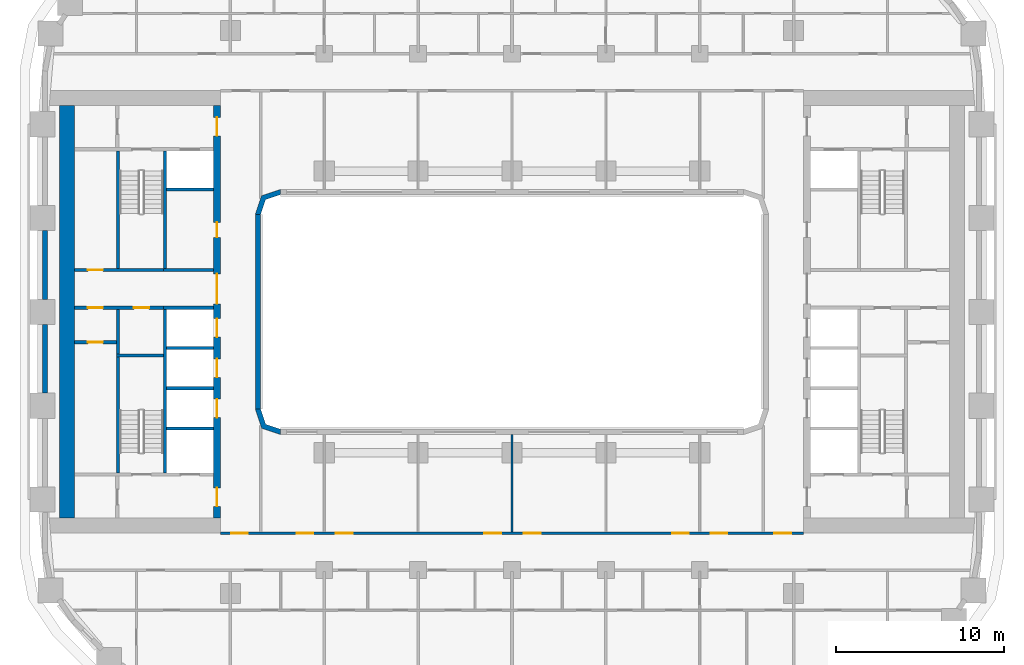
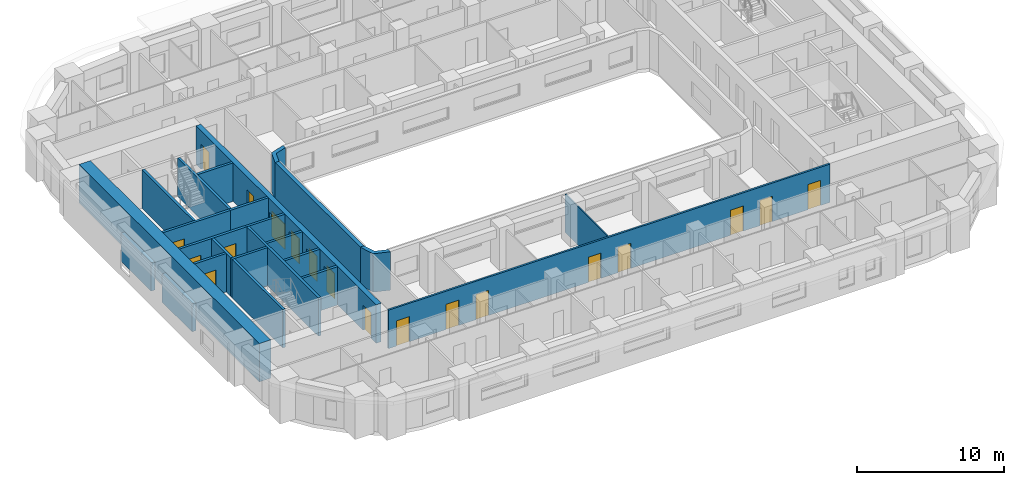
# One storey, part 4 of 20: 24 walls, 19 doors, 19 openings.
"""IFC4 building model written with IfcOpenShell, lengths in metres."""

from ifc_helpers import new_model, si_unit, direction, frame, frame_2d, origin, place, context, subcontext, project, spatial, polyline, rectangle, outline, extrude, material, layer, layer_set, type_object, element, fill, save


model = new_model("IFC4")

# Units and contexts
model_context = context("Model", 3, precision=1e-05, world=origin(), true_north=direction((0.0, 1.0)))
body_context = subcontext(model_context, "Body", "Model", "MODEL_VIEW")
ifc_project = project(units=[si_unit("LENGTHUNIT", "METRE"), si_unit("AREAUNIT", "SQUARE_METRE"), si_unit("VOLUMEUNIT", "CUBIC_METRE"), si_unit("PLANEANGLEUNIT", "RADIAN"), si_unit("MASSUNIT", "GRAM", prefix="KILO")], contexts=[model_context])

# Site, building, storey
site_placement = place(None, origin())
site = spatial("IfcSite", under=ifc_project, at=site_placement, CompositionType="ELEMENT")
building_placement = place(site_placement, origin())
building = spatial("IfcBuilding", under=site, at=building_placement, Name="Kiln Ring Residences", CompositionType="ELEMENT")
storey_placement = place(building_placement, frame((0.0, 0.0, 37.5)))
storey = spatial("IfcBuildingStorey", under=building, at=storey_placement, Name="L08", CompositionType="ELEMENT", Elevation=37.5)

# Wall
ifc_material_1 = material(Name="Gypsum board on steel studs", Category="steel")
ifc_layer_1 = layer(ifc_material_1, 0.199951171875)
ifc_layer_set_1 = layer_set([ifc_layer_1], Name="CORE-PARTITION-200")
wall_type_1 = type_object("IfcWallType", Name="CORE-PARTITION-200", PredefinedType="PARTITIONING", material=ifc_layer_set_1)
wall_1_placement = place(storey_placement, frame((-23.5, -2.5, 0.0), z_axis=(0.0, 0.0, 1.0), x_axis=(0.0, 1.0, 0.0)))
element("IfcWall", 1, at=wall_1_placement, inside=storey, type_object=wall_type_1, Name="Core partition west L08 1", PredefinedType="PARTITIONING", context=body_context, shape_type="SweptSolid", body=[
    extrude(rectangle(XDim=2.64990234375, YDim=0.199951171875, at=frame_2d((1.324951171875, 0.0))), origin(), (0.0, 0.0, 1.0), 3.199951171875),
])

# Wall, openings, doors
wall_2_placement = place(storey_placement, frame((-20.800048828125, 0.25, 0.0), z_axis=(0.0, 0.0, 1.0), x_axis=(-1.0, 0.0, 0.0)))
wall_2 = element("IfcWall", 2, at=wall_2_placement, inside=storey, type_object=wall_type_1, Name="Core partition west L08 2", PredefinedType="PARTITIONING", context=body_context, shape_type="SweptSolid", body=[
    extrude(rectangle(XDim=5.300048828125, YDim=0.199951171875, at=frame_2d((2.64990234375, 0.0))), origin(), (0.0, 0.0, 1.0), 3.199951171875),
])
opening_1_placement = place(wall_2_placement, frame((0.85009765625, 0.0, 0.0)))
opening_1 = element("IfcOpeningElement", 3, at=opening_1_placement, cuts=wall_2, Name="Opening L08-CW14", PredefinedType="OPENING", context=body_context, shape_type="SweptSolid", body=[
    extrude(rectangle(XDim=0.89990234375, YDim=2.10009765625, at=frame_2d((0.449951171875, 1.050048828125))), frame((0.0, 0.10986328125, 0.0), z_axis=(0.0, -1.0, 0.0), x_axis=(1.0, 0.0, 0.0)), (0.0, 0.0, 1.0), 0.219970703125),
])
opening_2_placement = place(wall_2_placement, frame((3.60009765625, 0.0, 0.0)))
opening_2 = element("IfcOpeningElement", 4, at=opening_2_placement, cuts=wall_2, Name="Opening L08-CW16", PredefinedType="OPENING", context=body_context, shape_type="SweptSolid", body=[
    extrude(rectangle(XDim=0.89990234375, YDim=2.10009765625, at=frame_2d((0.449951171875, 1.050048828125))), frame((0.0, 0.10986328125, 0.0), z_axis=(0.0, -1.0, 0.0), x_axis=(1.0, 0.0, 0.0)), (0.0, 0.0, 1.0), 0.219970703125),
])
ifc_material_2 = material(Name="Steel door leaf", Category="steel")
door_type_1 = type_object("IfcDoorType", Name="CORE-DOOR-ROOM", OperationType="SINGLE_SWING_LEFT", PredefinedType="DOOR", material=ifc_material_2)
door_1_placement = place(opening_1_placement, origin())
door_1 = element("IfcDoor", 5, at=door_1_placement, inside=storey, type_object=door_type_1, Name="Linen store L08-CW14", OperationType="SINGLE_SWING_RIGHT", OverallHeight=2.10009765625, OverallWidth=0.89990234375, PredefinedType="DOOR", context=body_context, shape_type="SweptSolid", body=[
    extrude(rectangle(XDim=0.89990234375, YDim=2.10009765625, at=frame_2d((0.449951171875, 1.050048828125))), frame((0.0, 0.02490234375, 0.0), z_axis=(0.0, -1.0, 0.0), x_axis=(1.0, 0.0, 0.0)), (0.0, 0.0, 1.0), 0.050048828125),
])
fill(opening_1, door_1)
door_2_placement = place(opening_2_placement, origin())
door_2 = element("IfcDoor", 6, at=door_2_placement, inside=storey, type_object=door_type_1, Name="Pump and valve room L08-CW16", OperationType="SINGLE_SWING_RIGHT", OverallHeight=2.10009765625, OverallWidth=0.89990234375, PredefinedType="DOOR", context=body_context, shape_type="SweptSolid", body=[
    extrude(rectangle(XDim=0.89990234375, YDim=2.10009765625, at=frame_2d((0.449951171875, 1.050048828125))), frame((0.0, 0.02490234375, 0.0), z_axis=(0.0, -1.0, 0.0), x_axis=(1.0, 0.0, 0.0)), (0.0, 0.0, 1.0), 0.050048828125),
])
fill(opening_2, door_2)

# Wall, opening, door
wall_3_placement = place(storey_placement, frame((-23.60009765625, -1.800048828125, 0.0), z_axis=(0.0, 0.0, 1.0), x_axis=(-1.0, 0.0, 0.0)))
wall_3 = element("IfcWall", 7, at=wall_3_placement, inside=storey, type_object=wall_type_1, Name="Core partition west L08 5", PredefinedType="PARTITIONING", context=body_context, shape_type="SweptSolid", body=[
    extrude(rectangle(XDim=2.5, YDim=0.199951171875, at=frame_2d((1.25, 0.0))), origin(), (0.0, 0.0, 1.0), 3.199951171875),
])
opening_3_placement = place(wall_3_placement, frame((0.800048828125, 0.0, 0.0)))
opening_3 = element("IfcOpeningElement", 8, at=opening_3_placement, cuts=wall_3, Name="Opening L08-CW15", PredefinedType="OPENING", context=body_context, shape_type="SweptSolid", body=[
    extrude(rectangle(XDim=0.89990234375, YDim=2.10009765625, at=frame_2d((0.449951171875, 1.050048828125))), frame((0.0, 0.10986328125, 0.0), z_axis=(0.0, -1.0, 0.0), x_axis=(1.0, 0.0, 0.0)), (0.0, 0.0, 1.0), 0.219970703125),
])
door_3_placement = place(opening_3_placement, origin())
door_3 = element("IfcDoor", 9, at=door_3_placement, inside=storey, type_object=door_type_1, Name="Pump and valve room L08-CW15", OperationType="SINGLE_SWING_RIGHT", OverallHeight=2.10009765625, OverallWidth=0.89990234375, PredefinedType="DOOR", context=body_context, shape_type="SweptSolid", body=[
    extrude(rectangle(XDim=0.89990234375, YDim=2.10009765625, at=frame_2d((0.449951171875, 1.050048828125))), frame((0.0, 0.02490234375, 0.0), z_axis=(0.0, -1.0, 0.0), x_axis=(1.0, 0.0, 0.0)), (0.0, 0.0, 1.0), 0.050048828125),
])
fill(opening_3, door_3)

# Walls
ifc_material_3 = material(Name="Gypsum shaft wall system")
ifc_layer_2 = layer(ifc_material_3, 0.199951171875)
ifc_layer_set_2 = layer_set([ifc_layer_2], Name="CORE-SHAFT-WALL-200")
wall_type_2 = type_object("IfcWallType", Name="CORE-SHAFT-WALL-200", PredefinedType="PARTITIONING", material=ifc_layer_set_2)
for number, where, z_axis, x_axis, name in (
    (10, (-17.800048828125, -6.949951171875, 0.0), (0.0, 0.0, 1.0), (-1.0, 0.0, 0.0), "Core partition west L08 6"),
    (11, (-17.800048828125, -4.550048828125, 0.0), (0.0, 0.0, 1.0), (-1.0, 0.0, 0.0), "Core partition west L08 7"),
    (12, (-17.800048828125, -2.14990234375, 0.0), (0.0, 0.0, 1.0), (-1.0, 0.0, 0.0), "Core partition west L08 8"),
):
    element("IfcWall", number, at=place(storey_placement, frame(where, z_axis=z_axis, x_axis=x_axis)), inside=storey, type_object=wall_type_2, Name=name, PredefinedType="PARTITIONING", context=body_context, shape_type="SweptSolid", body=[
        extrude(rectangle(XDim=2.800048828125, YDim=0.199951171875, at=frame_2d((1.39990234375, 0.0))), origin(), (0.0, 0.0, 1.0), 3.199951171875),
    ])
for number, where, z_axis, x_axis, name in (
    (13, (-17.800048828125, 0.25, 0.0), (0.0, 0.0, 1.0), (-1.0, 0.0, 0.0), "Core partition west L08 9"),
    (14, (-17.800048828125, 2.5, 0.0), (0.0, 0.0, 1.0), (-1.0, 0.0, 0.0), "Core partition west L08 10"),
):
    element("IfcWall", number, at=place(storey_placement, frame(where, z_axis=z_axis, x_axis=x_axis)), inside=storey, type_object=wall_type_2, Name=name, PredefinedType="PARTITIONING", context=body_context, shape_type="SweptSolid", body=[
        extrude(rectangle(XDim=3.0, YDim=0.199951171875, at=frame_2d((1.5, 0.0))), origin(), (0.0, 0.0, 1.0), 3.199951171875),
    ])
wall_4_placement = place(storey_placement, frame((-17.800048828125, 7.300048828125, 0.0), z_axis=(0.0, 0.0, 1.0), x_axis=(-1.0, 0.0, 0.0)))
element("IfcWall", 15, at=wall_4_placement, inside=storey, type_object=wall_type_2, Name="Core partition west L08 11", PredefinedType="PARTITIONING", context=body_context, shape_type="SweptSolid", body=[
    extrude(rectangle(XDim=2.800048828125, YDim=0.199951171875, at=frame_2d((1.39990234375, 0.0))), origin(), (0.0, 0.0, 1.0), 3.199951171875),
])
ifc_material_4 = material(Name="Concrete C40/50", Category="concrete")
ifc_layer_3 = layer(ifc_material_4, 0.199951171875)
ifc_layer_set_3 = layer_set([ifc_layer_3], Name="CORE-WALL-RC200")
wall_type_3 = type_object("IfcWallType", Name="CORE-WALL-RC200", PredefinedType="SHEAR", material=ifc_layer_set_3)
wall_5_placement = place(storey_placement, frame((-20.699951171875, 2.60009765625, 0.0), z_axis=(0.0, 0.0, 1.0), x_axis=(0.0, 1.0, 0.0)))
element("IfcWall", 16, at=wall_5_placement, inside=storey, type_object=wall_type_3, Name="Core wall west L08 1", PredefinedType="SHEAR", context=body_context, shape_type="SweptSolid", body=[
    extrude(rectangle(XDim=7.0, YDim=0.199951171875, at=frame_2d((3.5, 0.0))), origin(), (0.0, 0.0, 1.0), 3.199951171875),
])
wall_6_placement = place(storey_placement, frame((-20.699951171875, -9.60009765625, 0.0), z_axis=(0.0, 0.0, 1.0), x_axis=(0.0, 1.0, 0.0)))
element("IfcWall", 17, at=wall_6_placement, inside=storey, type_object=wall_type_3, Name="Core wall west L08 2", PredefinedType="SHEAR", context=body_context, shape_type="SweptSolid", body=[
    extrude(rectangle(XDim=9.75, YDim=0.199951171875, at=frame_2d((4.875, 0.0))), origin(), (0.0, 0.0, 1.0), 3.199951171875),
])

# Wall, opening, door
wall_7_placement = place(storey_placement, frame((-20.800048828125, 2.5, 0.0), z_axis=(0.0, 0.0, 1.0), x_axis=(-1.0, 0.0, 0.0)))
wall_7 = element("IfcWall", 18, at=wall_7_placement, inside=storey, type_object=wall_type_3, Name="Core wall west L08 3", PredefinedType="SHEAR", context=body_context, shape_type="SweptSolid", body=[
    extrude(rectangle(XDim=5.300048828125, YDim=0.199951171875, at=frame_2d((2.64990234375, 0.0))), origin(), (0.0, 0.0, 1.0), 3.199951171875),
])
opening_4_placement = place(wall_7_placement, frame((3.60009765625, 0.0, 0.0)))
opening_4 = element("IfcOpeningElement", 19, at=opening_4_placement, cuts=wall_7, Name="Opening L08-CW17", PredefinedType="OPENING", context=body_context, shape_type="SweptSolid", body=[
    extrude(rectangle(XDim=0.89990234375, YDim=2.10009765625, at=frame_2d((0.449951171875, 1.050048828125))), frame((0.0, 0.10986328125, 0.0), z_axis=(0.0, -1.0, 0.0), x_axis=(1.0, 0.0, 0.0)), (0.0, 0.0, 1.0), 0.219970703125),
])
door_4_placement = place(opening_4_placement, origin())
door_4 = element("IfcDoor", 20, at=door_4_placement, inside=storey, type_object=door_type_1, Name="Electrical plant room L08-CW17", OperationType="SINGLE_SWING_RIGHT", OverallHeight=2.10009765625, OverallWidth=0.89990234375, PredefinedType="DOOR", context=body_context, shape_type="SweptSolid", body=[
    extrude(rectangle(XDim=0.89990234375, YDim=2.10009765625, at=frame_2d((0.449951171875, 1.050048828125))), frame((0.0, 0.02490234375, 0.0), z_axis=(0.0, -1.0, 0.0), x_axis=(1.0, 0.0, 0.0)), (0.0, 0.0, 1.0), 0.050048828125),
])
fill(opening_4, door_4)

# Walls
wall_8_placement = place(storey_placement, frame((-23.5, 2.60009765625, 0.0), z_axis=(0.0, 0.0, 1.0), x_axis=(0.0, 1.0, 0.0)))
element("IfcWall", 21, at=wall_8_placement, inside=storey, type_object=wall_type_3, Name="Core wall west L08 10", PredefinedType="SHEAR", context=body_context, shape_type="SweptSolid", body=[
    extrude(rectangle(XDim=7.0, YDim=0.199951171875, at=frame_2d((3.5, 0.0))), origin(), (0.0, 0.0, 1.0), 3.199951171875),
])
wall_9_placement = place(storey_placement, frame((-23.5, -9.60009765625, 0.0), z_axis=(0.0, 0.0, 1.0), x_axis=(0.0, 1.0, 0.0)))
element("IfcWall", 22, at=wall_9_placement, inside=storey, type_object=wall_type_3, Name="Core wall west L08 11", PredefinedType="SHEAR", context=body_context, shape_type="SweptSolid", body=[
    extrude(rectangle(XDim=6.900146484375, YDim=0.199951171875, at=frame_2d((3.4501953125, 0.0))), origin(), (0.0, 0.0, 1.0), 3.199951171875),
])
wall_10_placement = place(storey_placement, frame((-20.800048828125, -2.60009765625, 0.0), z_axis=(0.0, 0.0, 1.0), x_axis=(-1.0, 0.0, 0.0)))
element("IfcWall", 23, at=wall_10_placement, inside=storey, type_object=wall_type_3, Name="Core wall west L08 12", PredefinedType="SHEAR", context=body_context, shape_type="SweptSolid", body=[
    extrude(rectangle(XDim=2.800048828125, YDim=0.199951171875, at=frame_2d((1.39990234375, 0.0))), origin(), (0.0, 0.0, 1.0), 3.199951171875),
])

# Wall, openings, doors
ifc_material_5 = material(Name="Concrete C60/75", Category="concrete")
ifc_layer_4 = layer(ifc_material_5, 0.39990234375)
ifc_layer_set_4 = layer_set([ifc_layer_4], Name="CORE-WALL-RC400")
wall_type_4 = type_object("IfcWallType", Name="CORE-WALL-RC400", PredefinedType="SHEAR", material=ifc_layer_set_4)
wall_11_placement = place(storey_placement, frame((-17.60009765625, -12.300048828125, 0.0), z_axis=(0.0, 0.0, 1.0), x_axis=(0.0, 1.0, 0.0)))
wall_11 = element("IfcWall", 24, at=wall_11_placement, inside=storey, type_object=wall_type_4, Name="Core wall west L08 6", PredefinedType="SHEAR", context=body_context, shape_type="SweptSolid", body=[
    extrude(rectangle(XDim=24.60009765625, YDim=0.39990234375, at=frame_2d((12.300048828125, 0.0))), origin(), (0.0, 0.0, 1.0), 3.199951171875),
])
opening_5_placement = place(wall_11_placement, frame((6.0, 0.0, 0.0)))
opening_5 = element("IfcOpeningElement", 25, at=opening_5_placement, cuts=wall_11, Name="Opening L08-CW02", PredefinedType="OPENING", context=body_context, shape_type="SweptSolid", body=[
    extrude(rectangle(XDim=1.10009765625, YDim=2.10009765625, at=frame_2d((0.550048828125, 1.050048828125))), frame((0.0, 0.2099609375, 0.0), z_axis=(0.0, -1.0, 0.0), x_axis=(1.0, 0.0, 0.0)), (0.0, 0.0, 1.0), 0.419921875),
])
opening_6_placement = place(wall_11_placement, frame((8.39990234375, 0.0, 0.0)))
opening_6 = element("IfcOpeningElement", 26, at=opening_6_placement, cuts=wall_11, Name="Opening L08-CW03", PredefinedType="OPENING", context=body_context, shape_type="SweptSolid", body=[
    extrude(rectangle(XDim=1.10009765625, YDim=2.10009765625, at=frame_2d((0.550048828125, 1.050048828125))), frame((0.0, 0.2099609375, 0.0), z_axis=(0.0, -1.0, 0.0), x_axis=(1.0, 0.0, 0.0)), (0.0, 0.0, 1.0), 0.419921875),
])
opening_7_placement = place(wall_11_placement, frame((10.800048828125, 0.0, 0.0)))
opening_7 = element("IfcOpeningElement", 27, at=opening_7_placement, cuts=wall_11, Name="Opening L08-CW04", PredefinedType="OPENING", context=body_context, shape_type="SweptSolid", body=[
    extrude(rectangle(XDim=1.10009765625, YDim=2.10009765625, at=frame_2d((0.550048828125, 1.050048828125))), frame((0.0, 0.2099609375, 0.0), z_axis=(0.0, -1.0, 0.0), x_axis=(1.0, 0.0, 0.0)), (0.0, 0.0, 1.0), 0.419921875),
])
opening_8_placement = place(wall_11_placement, frame((16.75, 0.0, 0.0)))
opening_8 = element("IfcOpeningElement", 28, at=opening_8_placement, cuts=wall_11, Name="Opening L08-CW05", PredefinedType="OPENING", context=body_context, shape_type="SweptSolid", body=[
    extrude(rectangle(XDim=0.89990234375, YDim=2.10009765625, at=frame_2d((0.449951171875, 1.050048828125))), frame((0.0, 0.2099609375, 0.0), z_axis=(0.0, -1.0, 0.0), x_axis=(1.0, 0.0, 0.0)), (0.0, 0.0, 1.0), 0.419921875),
])
opening_9_placement = place(wall_11_placement, frame((22.800048828125, 0.0, 0.0)))
opening_9 = element("IfcOpeningElement", 29, at=opening_9_placement, cuts=wall_11, Name="Opening L08-CW07", PredefinedType="OPENING", context=body_context, shape_type="SweptSolid", body=[
    extrude(rectangle(XDim=1.10009765625, YDim=2.10009765625, at=frame_2d((0.550048828125, 1.050048828125))), frame((0.0, 0.2099609375, 0.0), z_axis=(0.0, -1.0, 0.0), x_axis=(1.0, 0.0, 0.0)), (0.0, 0.0, 1.0), 0.419921875),
])
opening_10_placement = place(wall_11_placement, frame((0.699951171875, 0.0, 0.0)))
opening_10 = element("IfcOpeningElement", 30, at=opening_10_placement, cuts=wall_11, Name="Opening L08-CW08", PredefinedType="OPENING", context=body_context, shape_type="SweptSolid", body=[
    extrude(rectangle(XDim=1.10009765625, YDim=2.10009765625, at=frame_2d((0.550048828125, 1.050048828125))), frame((0.0, 0.2099609375, 0.0), z_axis=(0.0, -1.0, 0.0), x_axis=(1.0, 0.0, 0.0)), (0.0, 0.0, 1.0), 0.419921875),
])
opening_11_placement = place(wall_11_placement, frame((12.77490234375, 0.0, 0.0)))
opening_11 = element("IfcOpeningElement", 31, at=opening_11_placement, cuts=wall_11, Name="Opening L08-CW13", PredefinedType="OPENING", context=body_context, shape_type="SweptSolid", body=[
    extrude(rectangle(XDim=1.800048828125, YDim=2.10009765625, at=frame_2d((0.89990234375, 1.050048828125))), frame((0.0, 0.2099609375, 0.0), z_axis=(0.0, -1.0, 0.0), x_axis=(1.0, 0.0, 0.0)), (0.0, 0.0, 1.0), 0.419921875),
])
ifc_material_6 = material(Name="Steel door leaf", Category="steel")
door_type_2 = type_object("IfcDoorType", Name="CORE-DOOR-LD", OperationType="DOUBLE_DOOR_SLIDING", PredefinedType="DOOR", material=ifc_material_6)
door_5_placement = place(opening_5_placement, origin())
door_5 = element("IfcDoor", 32, at=door_5_placement, inside=storey, type_object=door_type_2, Name="LD W-L1 L08-CW02", OperationType="DOUBLE_DOOR_SLIDING", OverallHeight=2.10009765625, OverallWidth=1.10009765625, PredefinedType="DOOR", context=body_context, shape_type="SweptSolid", body=[
    extrude(rectangle(XDim=1.10009765625, YDim=2.10009765625, at=frame_2d((0.550048828125, 1.050048828125))), frame((0.0, 0.02490234375, 0.0), z_axis=(0.0, -1.0, 0.0), x_axis=(1.0, 0.0, 0.0)), (0.0, 0.0, 1.0), 0.050048828125),
])
fill(opening_5, door_5)
door_6_placement = place(opening_6_placement, origin())
door_6 = element("IfcDoor", 33, at=door_6_placement, inside=storey, type_object=door_type_2, Name="LD W-L2 L08-CW03", OperationType="DOUBLE_DOOR_SLIDING", OverallHeight=2.10009765625, OverallWidth=1.10009765625, PredefinedType="DOOR", context=body_context, shape_type="SweptSolid", body=[
    extrude(rectangle(XDim=1.10009765625, YDim=2.10009765625, at=frame_2d((0.550048828125, 1.050048828125))), frame((0.0, 0.02490234375, 0.0), z_axis=(0.0, -1.0, 0.0), x_axis=(1.0, 0.0, 0.0)), (0.0, 0.0, 1.0), 0.050048828125),
])
fill(opening_6, door_6)
door_7_placement = place(opening_7_placement, origin())
door_7 = element("IfcDoor", 34, at=door_7_placement, inside=storey, type_object=door_type_2, Name="LD W-L3 L08-CW04", OperationType="DOUBLE_DOOR_SLIDING", OverallHeight=2.10009765625, OverallWidth=1.10009765625, PredefinedType="DOOR", context=body_context, shape_type="SweptSolid", body=[
    extrude(rectangle(XDim=1.10009765625, YDim=2.10009765625, at=frame_2d((0.550048828125, 1.050048828125))), frame((0.0, 0.02490234375, 0.0), z_axis=(0.0, -1.0, 0.0), x_axis=(1.0, 0.0, 0.0)), (0.0, 0.0, 1.0), 0.050048828125),
])
fill(opening_7, door_7)
ifc_material_7 = material(Name="Steel door leaf", Category="steel")
door_type_3 = type_object("IfcDoorType", Name="CORE-DOOR-LOBBY", OperationType="SINGLE_SWING_LEFT", PredefinedType="DOOR", material=ifc_material_7)
door_8_placement = place(opening_9_placement, origin())
door_8 = element("IfcDoor", 35, at=door_8_placement, inside=storey, type_object=door_type_3, Name="FFL L08-CW07", OperationType="SINGLE_SWING_RIGHT", OverallHeight=2.10009765625, OverallWidth=1.10009765625, PredefinedType="DOOR", context=body_context, shape_type="SweptSolid", body=[
    extrude(rectangle(XDim=1.10009765625, YDim=2.10009765625, at=frame_2d((0.550048828125, 1.050048828125))), frame((0.0, 0.02490234375, 0.0), z_axis=(0.0, -1.0, 0.0), x_axis=(1.0, 0.0, 0.0)), (0.0, 0.0, 1.0), 0.050048828125),
])
fill(opening_9, door_8)
door_9_placement = place(opening_10_placement, origin())
door_9 = element("IfcDoor", 36, at=door_9_placement, inside=storey, type_object=door_type_3, Name="SVL L08-CW08", OperationType="SINGLE_SWING_LEFT", OverallHeight=2.10009765625, OverallWidth=1.10009765625, PredefinedType="DOOR", context=body_context, shape_type="SweptSolid", body=[
    extrude(rectangle(XDim=1.10009765625, YDim=2.10009765625, at=frame_2d((0.550048828125, 1.050048828125))), frame((0.0, 0.02490234375, 0.0), z_axis=(0.0, -1.0, 0.0), x_axis=(1.0, 0.0, 0.0)), (0.0, 0.0, 1.0), 0.050048828125),
])
fill(opening_10, door_9)
ifc_material_8 = material(Name="Steel door leaf", Category="steel")
door_type_4 = type_object("IfcDoorType", Name="CORE-DOOR-PASS", OperationType="DOUBLE_DOOR_SINGLE_SWING", PredefinedType="DOOR", material=ifc_material_8)
door_10_placement = place(opening_11_placement, origin())
door_10 = element("IfcDoor", 37, at=door_10_placement, inside=storey, type_object=door_type_4, Name="Core passage L08-CW13", OperationType="DOUBLE_DOOR_SINGLE_SWING", OverallHeight=2.10009765625, OverallWidth=1.800048828125, PredefinedType="DOOR", context=body_context, shape_type="SweptSolid", body=[
    extrude(rectangle(XDim=1.800048828125, YDim=2.10009765625, at=frame_2d((0.89990234375, 1.050048828125))), frame((0.0, 0.02490234375, 0.0), z_axis=(0.0, -1.0, 0.0), x_axis=(1.0, 0.0, 0.0)), (0.0, 0.0, 1.0), 0.050048828125),
])
fill(opening_11, door_10)
door_11_placement = place(opening_8_placement, origin())
door_11 = element("IfcDoor", 38, at=door_11_placement, inside=storey, type_object=door_type_1, Name="Goods store L08-CW05", OperationType="SINGLE_SWING_LEFT", OverallHeight=2.10009765625, OverallWidth=0.89990234375, PredefinedType="DOOR", context=body_context, shape_type="SweptSolid", body=[
    extrude(rectangle(XDim=0.89990234375, YDim=2.10009765625, at=frame_2d((0.449951171875, 1.050048828125))), frame((0.0, 0.02490234375, 0.0), z_axis=(0.0, -1.0, 0.0), x_axis=(1.0, 0.0, 0.0)), (0.0, 0.0, 1.0), 0.050048828125),
])
fill(opening_8, door_11)

# Walls
ifc_material_9 = material(Name="Concrete C60/75", Category="concrete")
ifc_layer_5 = layer(ifc_material_9, 0.89990234375)
ifc_layer_set_5 = layer_set([ifc_layer_5], Name="CORE-WALL-RC900")
wall_type_5 = type_object("IfcWallType", Name="CORE-WALL-RC900", PredefinedType="SHEAR", material=ifc_layer_set_5)
wall_12_placement = place(storey_placement, frame((-26.550048828125, -12.300048828125, 0.0), z_axis=(0.0, 0.0, 1.0), x_axis=(0.0, 1.0, 0.0)))
element("IfcWall", 39, at=wall_12_placement, inside=storey, type_object=wall_type_5, Name="Core wall west L08 7", PredefinedType="SHEAR", context=body_context, shape_type="SweptSolid", body=[
    extrude(rectangle(XDim=24.60009765625, YDim=0.89990234375, at=frame_2d((12.300048828125, 0.0))), origin(), (0.0, 0.0, 1.0), 3.199951171875),
])
ifc_material_10 = material(Name="Brick masonry, dark clay brick", Category="masonry")
ifc_layer_6 = layer(ifc_material_10, 0.300048828125)
ifc_layer_set_6 = layer_set([ifc_layer_6], Name="EW-300 BRICK WALL")
wall_type_6 = type_object("IfcWallType", Name="EW-300 BRICK WALL", PredefinedType="SOLIDWALL", material=ifc_layer_set_6)
for number, where, z_axis, x_axis, name in (
    (40, (-27.85009765625, 4.85009765625, 0.0), (0.0, 0.0, 1.0), (0.0, -1.0, 0.0), "Facade wall L08 43"),
    (41, (-27.85009765625, -0.75, 0.0), (0.0, 0.0, 1.0), (0.0, -1.0, 0.0), "Facade wall L08 44"),
):
    element("IfcWall", number, at=place(storey_placement, frame(where, z_axis=z_axis, x_axis=x_axis)), inside=storey, type_object=wall_type_6, Name=name, PredefinedType="SOLIDWALL", context=body_context, shape_type="SweptSolid", body=[
        extrude(rectangle(XDim=4.10009765625, YDim=0.300048828125, at=frame_2d((2.050048828125, 0.0))), origin(), (0.0, 0.0, 1.0), 2.35009765625),
    ])
wall_13_placement = place(storey_placement, frame((-15.14990234375, -5.800048828125, 0.0), z_axis=(0.0, 0.0, 1.0), x_axis=(0.0, 1.0, 0.0)))
element("IfcWall", 42, at=wall_13_placement, inside=storey, type_object=wall_type_6, Name="Facade wall L08 49", PredefinedType="SOLIDWALL", context=body_context, shape_type="SweptSolid", body=[
    extrude(rectangle(XDim=11.60009765625, YDim=0.300048828125, at=frame_2d((5.800048828125, 0.0))), origin(), (0.0, 0.0, 1.0), 3.199951171875),
])
placement = place(storey_placement, origin())
element("IfcWall", 43, at=placement, inside=storey, type_object=wall_type_6, Name="Corner wall L08 1", PredefinedType="SOLIDWALL", context=body_context, shape_type="SweptSolid", body=[
    extrude(outline(polyline([(-13.8486328125, 7.300048828125), (-14.937255859375, 6.937255859375), (-15.300048828125, 5.8486328125), (-15.300048828125, 5.800048828125), (-15.0, 5.800048828125), (-14.699951171875, 6.699951171875), (-13.800048828125, 7.0), (-13.800048828125, 7.300048828125), (-13.8486328125, 7.300048828125)])), origin(), (0.0, 0.0, 1.0), 3.199951171875),
])
element("IfcWall", 44, at=placement, inside=storey, type_object=wall_type_6, Name="Corner wall L08 4", PredefinedType="SOLIDWALL", context=body_context, shape_type="SweptSolid", body=[
    extrude(outline(polyline([(-14.937255859375, -6.937255859375), (-13.8486328125, -7.300048828125), (-13.800048828125, -7.300048828125), (-13.800048828125, -7.0), (-14.699951171875, -6.699951171875), (-15.0, -5.800048828125), (-15.300048828125, -5.800048828125), (-15.300048828125, -5.8486328125), (-14.937255859375, -6.937255859375)])), origin(), (0.0, 0.0, 1.0), 3.199951171875),
])
ifc_material_11 = material(Name="Gypsum board on steel studs", Category="steel")
ifc_layer_7 = layer(ifc_material_11, 0.10009765625)
ifc_layer_set_7 = layer_set([ifc_layer_7], Name="PARTITION-100")
wall_type_7 = type_object("IfcWallType", Name="PARTITION-100", PredefinedType="PARTITIONING", material=ifc_layer_set_7)
wall_16_placement = place(storey_placement, frame((0.0, -13.125, 0.0), z_axis=(0.0, 0.0, 1.0), x_axis=(0.0, 1.0, 0.0)))
element("IfcWall", 45, at=wall_16_placement, inside=storey, type_object=wall_type_7, Name="Partition 034", PredefinedType="PARTITIONING", context=body_context, shape_type="SweptSolid", body=[
    extrude(rectangle(XDim=5.804931640625, YDim=0.10009765625, at=frame_2d((2.90234375, 0.0))), origin(), (0.0, 0.0, 1.0), 3.199951171875),
])

# Wall, openings, doors
ifc_material_12 = material(Name="Brick masonry partition", Category="masonry")
ifc_layer_8 = layer(ifc_material_12, 0.14990234375)
ifc_layer_set_8 = layer_set([ifc_layer_8], Name="PARTITION-150-ei60")
wall_type_8 = type_object("IfcWallType", Name="PARTITION-150-ei60", PredefinedType="PARTITIONING", material=ifc_layer_set_8)
wall_17_placement = place(storey_placement, frame((-17.39990234375, -13.199951171875, 0.0), z_axis=(0.0, 0.0, 1.0), x_axis=(1.0, 0.0, 0.0)))
wall_17 = element("IfcWall", 46, at=wall_17_placement, inside=storey, type_object=wall_type_8, Name="Partition 002", PredefinedType="PARTITIONING", context=body_context, shape_type="SweptSolid", body=[
    extrude(rectangle(XDim=34.7998046875, YDim=0.14990234375, at=frame_2d((17.39990234375, 0.0))), origin(), (0.0, 0.0, 1.0), 3.199951171875),
])
opening_12_placement = place(wall_17_placement, frame((0.64990234375, 0.0, 0.0)))
opening_12 = element("IfcOpeningElement", 47, at=opening_12_placement, cuts=wall_17, Name="Opening L08-D003", PredefinedType="OPENING", context=body_context, shape_type="SweptSolid", body=[
    extrude(rectangle(XDim=1.0, YDim=2.10009765625, at=frame_2d((0.5, 1.050048828125))), frame((0.0, 0.0849609375, 0.0), z_axis=(0.0, -1.0, 0.0), x_axis=(1.0, 0.0, 0.0)), (0.0, 0.0, 1.0), 0.169921875),
])
opening_13_placement = place(wall_17_placement, frame((33.050048828125, 0.0, 0.0)))
opening_13 = element("IfcOpeningElement", 48, at=opening_13_placement, cuts=wall_17, Name="Opening L08-D004", PredefinedType="OPENING", context=body_context, shape_type="SweptSolid", body=[
    extrude(rectangle(XDim=1.0, YDim=2.10009765625, at=frame_2d((0.5, 1.050048828125))), frame((0.0, 0.0849609375, 0.0), z_axis=(0.0, -1.0, 0.0), x_axis=(1.0, 0.0, 0.0)), (0.0, 0.0, 1.0), 0.169921875),
])
opening_14_placement = place(wall_17_placement, frame((4.550048828125, 0.0, 0.0)))
opening_14 = element("IfcOpeningElement", 49, at=opening_14_placement, cuts=wall_17, Name="Opening L08-D037", PredefinedType="OPENING", context=body_context, shape_type="SweptSolid", body=[
    extrude(rectangle(XDim=1.0, YDim=2.10009765625, at=frame_2d((0.5, 1.050048828125))), frame((0.0, 0.0849609375, 0.0), z_axis=(0.0, -1.0, 0.0), x_axis=(1.0, 0.0, 0.0)), (0.0, 0.0, 1.0), 0.169921875),
])
opening_15_placement = place(wall_17_placement, frame((6.89990234375, 0.0, 0.0)))
opening_15 = element("IfcOpeningElement", 50, at=opening_15_placement, cuts=wall_17, Name="Opening L08-D038", PredefinedType="OPENING", context=body_context, shape_type="SweptSolid", body=[
    extrude(rectangle(XDim=1.0, YDim=2.10009765625, at=frame_2d((0.5, 1.050048828125))), frame((0.0, 0.0849609375, 0.0), z_axis=(0.0, -1.0, 0.0), x_axis=(1.0, 0.0, 0.0)), (0.0, 0.0, 1.0), 0.169921875),
])
opening_16_placement = place(wall_17_placement, frame((15.75, 0.0, 0.0)))
opening_16 = element("IfcOpeningElement", 51, at=opening_16_placement, cuts=wall_17, Name="Opening L08-D039", PredefinedType="OPENING", context=body_context, shape_type="SweptSolid", body=[
    extrude(rectangle(XDim=1.0, YDim=2.10009765625, at=frame_2d((0.5, 1.050048828125))), frame((0.0, 0.0849609375, 0.0), z_axis=(0.0, -1.0, 0.0), x_axis=(1.0, 0.0, 0.0)), (0.0, 0.0, 1.0), 0.169921875),
])
opening_17_placement = place(wall_17_placement, frame((18.10009765625, 0.0, 0.0)))
opening_17 = element("IfcOpeningElement", 52, at=opening_17_placement, cuts=wall_17, Name="Opening L08-D040", PredefinedType="OPENING", context=body_context, shape_type="SweptSolid", body=[
    extrude(rectangle(XDim=1.0, YDim=2.10009765625, at=frame_2d((0.5, 1.050048828125))), frame((0.0, 0.0849609375, 0.0), z_axis=(0.0, -1.0, 0.0), x_axis=(1.0, 0.0, 0.0)), (0.0, 0.0, 1.0), 0.169921875),
])
opening_18_placement = place(wall_17_placement, frame((26.949951171875, 0.0, 0.0)))
opening_18 = element("IfcOpeningElement", 53, at=opening_18_placement, cuts=wall_17, Name="Opening L08-D041", PredefinedType="OPENING", context=body_context, shape_type="SweptSolid", body=[
    extrude(rectangle(XDim=1.0, YDim=2.10009765625, at=frame_2d((0.5, 1.050048828125))), frame((0.0, 0.0849609375, 0.0), z_axis=(0.0, -1.0, 0.0), x_axis=(1.0, 0.0, 0.0)), (0.0, 0.0, 1.0), 0.169921875),
])
opening_19_placement = place(wall_17_placement, frame((29.25, 0.0, 0.0)))
opening_19 = element("IfcOpeningElement", 54, at=opening_19_placement, cuts=wall_17, Name="Opening L08-D042", PredefinedType="OPENING", context=body_context, shape_type="SweptSolid", body=[
    extrude(rectangle(XDim=1.0, YDim=2.10009765625, at=frame_2d((0.5, 1.050048828125))), frame((0.0, 0.0849609375, 0.0), z_axis=(0.0, -1.0, 0.0), x_axis=(1.0, 0.0, 0.0)), (0.0, 0.0, 1.0), 0.169921875),
])
ifc_material_13 = material(Name="Steel faced fire door leaf", Category="steel")
door_type_5 = type_object("IfcDoorType", Name="FLAT-DOOR-1000-FR", OperationType="SINGLE_SWING_LEFT", PredefinedType="DOOR", material=ifc_material_13)
door_12_placement = place(opening_12_placement, origin())
door_12 = element("IfcDoor", 55, at=door_12_placement, inside=storey, type_object=door_type_5, Name="Door L08-D003", OperationType="SINGLE_SWING_RIGHT", OverallHeight=2.10009765625, OverallWidth=1.0, PredefinedType="DOOR", context=body_context, shape_type="SweptSolid", body=[
    extrude(rectangle(XDim=1.0, YDim=2.10009765625, at=frame_2d((0.5, 1.050048828125))), frame((0.0, 0.02490234375, 0.0), z_axis=(0.0, -1.0, 0.0), x_axis=(1.0, 0.0, 0.0)), (0.0, 0.0, 1.0), 0.050048828125),
])
fill(opening_12, door_12)
door_13_placement = place(opening_13_placement, origin())
door_13 = element("IfcDoor", 56, at=door_13_placement, inside=storey, type_object=door_type_5, Name="Door L08-D004", OperationType="SINGLE_SWING_LEFT", OverallHeight=2.10009765625, OverallWidth=1.0, PredefinedType="DOOR", context=body_context, shape_type="SweptSolid", body=[
    extrude(rectangle(XDim=1.0, YDim=2.10009765625, at=frame_2d((0.5, 1.050048828125))), frame((0.0, 0.02490234375, 0.0), z_axis=(0.0, -1.0, 0.0), x_axis=(1.0, 0.0, 0.0)), (0.0, 0.0, 1.0), 0.050048828125),
])
fill(opening_13, door_13)
door_14_placement = place(opening_14_placement, origin())
door_14 = element("IfcDoor", 57, at=door_14_placement, inside=storey, type_object=door_type_5, Name="Door L08-D037", OperationType="SINGLE_SWING_LEFT", OverallHeight=2.10009765625, OverallWidth=1.0, PredefinedType="DOOR", context=body_context, shape_type="SweptSolid", body=[
    extrude(rectangle(XDim=1.0, YDim=2.10009765625, at=frame_2d((0.5, 1.050048828125))), frame((0.0, 0.02490234375, 0.0), z_axis=(0.0, -1.0, 0.0), x_axis=(1.0, 0.0, 0.0)), (0.0, 0.0, 1.0), 0.050048828125),
])
fill(opening_14, door_14)
door_15_placement = place(opening_15_placement, origin())
door_15 = element("IfcDoor", 58, at=door_15_placement, inside=storey, type_object=door_type_5, Name="Door L08-D038", OperationType="SINGLE_SWING_RIGHT", OverallHeight=2.10009765625, OverallWidth=1.0, PredefinedType="DOOR", context=body_context, shape_type="SweptSolid", body=[
    extrude(rectangle(XDim=1.0, YDim=2.10009765625, at=frame_2d((0.5, 1.050048828125))), frame((0.0, 0.02490234375, 0.0), z_axis=(0.0, -1.0, 0.0), x_axis=(1.0, 0.0, 0.0)), (0.0, 0.0, 1.0), 0.050048828125),
])
fill(opening_15, door_15)
door_16_placement = place(opening_16_placement, origin())
door_16 = element("IfcDoor", 59, at=door_16_placement, inside=storey, type_object=door_type_5, Name="Door L08-D039", OperationType="SINGLE_SWING_LEFT", OverallHeight=2.10009765625, OverallWidth=1.0, PredefinedType="DOOR", context=body_context, shape_type="SweptSolid", body=[
    extrude(rectangle(XDim=1.0, YDim=2.10009765625, at=frame_2d((0.5, 1.050048828125))), frame((0.0, 0.02490234375, 0.0), z_axis=(0.0, -1.0, 0.0), x_axis=(1.0, 0.0, 0.0)), (0.0, 0.0, 1.0), 0.050048828125),
])
fill(opening_16, door_16)
door_17_placement = place(opening_17_placement, origin())
door_17 = element("IfcDoor", 60, at=door_17_placement, inside=storey, type_object=door_type_5, Name="Door L08-D040", OperationType="SINGLE_SWING_RIGHT", OverallHeight=2.10009765625, OverallWidth=1.0, PredefinedType="DOOR", context=body_context, shape_type="SweptSolid", body=[
    extrude(rectangle(XDim=1.0, YDim=2.10009765625, at=frame_2d((0.5, 1.050048828125))), frame((0.0, 0.02490234375, 0.0), z_axis=(0.0, -1.0, 0.0), x_axis=(1.0, 0.0, 0.0)), (0.0, 0.0, 1.0), 0.050048828125),
])
fill(opening_17, door_17)
door_18_placement = place(opening_18_placement, origin())
door_18 = element("IfcDoor", 61, at=door_18_placement, inside=storey, type_object=door_type_5, Name="Door L08-D041", OperationType="SINGLE_SWING_LEFT", OverallHeight=2.10009765625, OverallWidth=1.0, PredefinedType="DOOR", context=body_context, shape_type="SweptSolid", body=[
    extrude(rectangle(XDim=1.0, YDim=2.10009765625, at=frame_2d((0.5, 1.050048828125))), frame((0.0, 0.02490234375, 0.0), z_axis=(0.0, -1.0, 0.0), x_axis=(1.0, 0.0, 0.0)), (0.0, 0.0, 1.0), 0.050048828125),
])
fill(opening_18, door_18)
door_19_placement = place(opening_19_placement, origin())
door_19 = element("IfcDoor", 62, at=door_19_placement, inside=storey, type_object=door_type_5, Name="Door L08-D042", OperationType="SINGLE_SWING_RIGHT", OverallHeight=2.10009765625, OverallWidth=1.0, PredefinedType="DOOR", context=body_context, shape_type="SweptSolid", body=[
    extrude(rectangle(XDim=1.0, YDim=2.10009765625, at=frame_2d((0.5, 1.050048828125))), frame((0.0, 0.02490234375, 0.0), z_axis=(0.0, -1.0, 0.0), x_axis=(1.0, 0.0, 0.0)), (0.0, 0.0, 1.0), 0.050048828125),
])
fill(opening_19, door_19)

save(model, "model.ifc")
